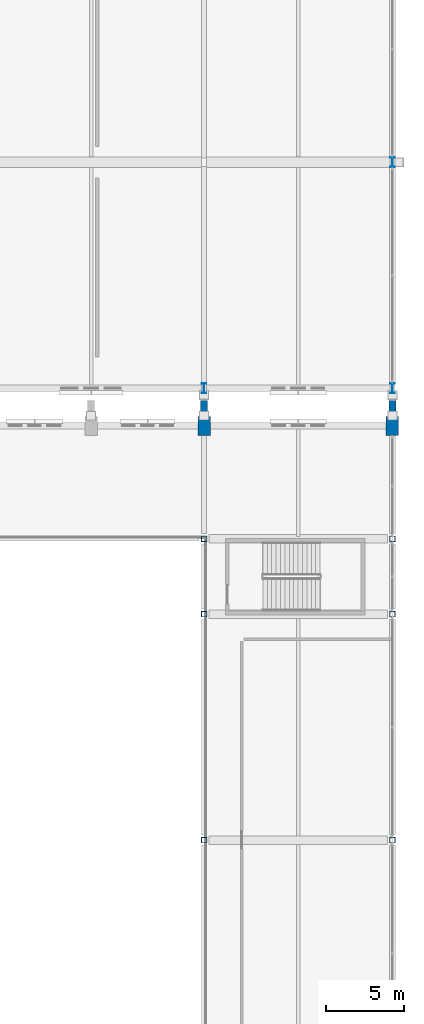
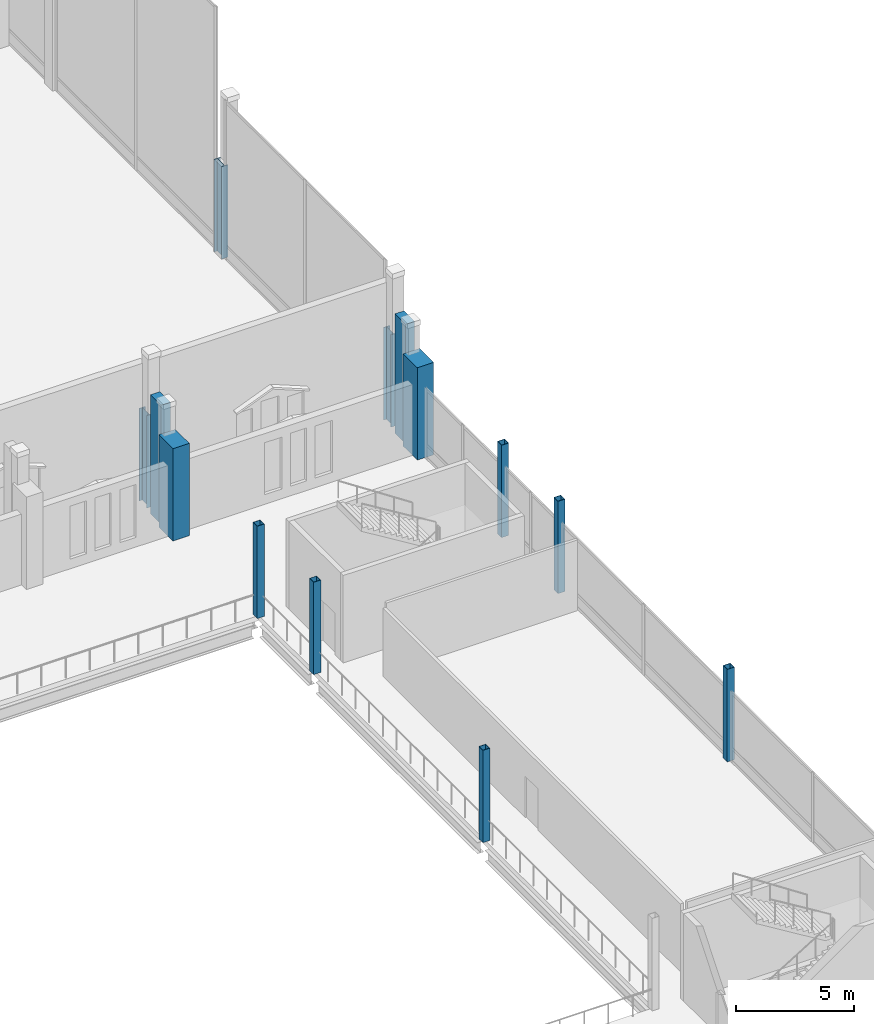
# One storey, part 18 of 193: 13 columns.
"""IFC4 building model written with IfcOpenShell, lengths in metres."""

from ifc_helpers import new_model, si_unit, direction, frame, origin, origin_2d, place, context, subcontext, project, spatial, rectangle, hollow_rectangle, i_section, extrude, material, material_profile, profile_set, type_object, element, save


model = new_model("IFC4")

# Units and contexts
model_context = context("Model", 3, precision=1e-05, world=origin(), true_north=direction((0.0, 1.0)))
body_context = subcontext(model_context, "Body", "Model", "MODEL_VIEW")
ifc_project = project(units=[si_unit("LENGTHUNIT", "METRE"), si_unit("AREAUNIT", "SQUARE_METRE"), si_unit("VOLUMEUNIT", "CUBIC_METRE"), si_unit("PLANEANGLEUNIT", "RADIAN"), si_unit("MASSUNIT", "GRAM", prefix="KILO")], contexts=[model_context])

# Site, building, storey
site_placement = place(None, origin())
site = spatial("IfcSite", under=ifc_project, at=site_placement, CompositionType="ELEMENT")
building_placement = place(site_placement, origin())
building = spatial("IfcBuilding", under=site, at=building_placement, Name="Cendralis Lancet Convention Centre", CompositionType="ELEMENT")
storey_placement = place(building_placement, frame((0.0, 0.0, 10.199951171875)))
storey = spatial("IfcBuildingStorey", under=building, at=storey_placement, Name="L02", CompositionType="ELEMENT", Elevation=10.199951171875)

# Columns
ifc_material_1 = material(Name="Concrete G40 (C40/50)", Category="concrete")
ifc_material_profile_1 = material_profile(ifc_material_1, rectangle(XDim=0.800048828125, YDim=1.199951171875, at=origin_2d()), Name="RC 800x1200")
ifc_profile_set_1 = profile_set([ifc_material_profile_1], Name="Concrete G40 (C40/50)")
column_type_1 = type_object("IfcColumnType", Name="STR-COL-C15", PredefinedType="COLUMN", material=ifc_profile_set_1)
for number, where, z_axis, x_axis, name in (
    (1, (196.800048828125, 91.199951171875, 0.0), (0.0, 0.0, 1.0), (1.0, 0.0, 0.0), "L02 Column C15 at 196.8,91.2"),
    (2, (208.800048828125, 91.199951171875, 0.0), (0.0, 0.0, 1.0), (1.0, 0.0, 0.0), "L02 Column C15 at 208.8,91.2"),
):
    element("IfcColumn", number, at=place(storey_placement, frame(where, z_axis=z_axis, x_axis=x_axis)), inside=storey, type_object=column_type_1, Name=name, PredefinedType="COLUMN", context=body_context, shape_type="SweptSolid", body=[
        extrude(rectangle(XDim=0.800048828125, YDim=1.199951171875, at=origin_2d()), origin(), (0.0, 0.0, 1.0), 4.800048828125),
    ])
ifc_material_2 = material(Name="Steel S355", Category="steel")
ifc_material_profile_2 = material_profile(ifc_material_2, i_section(OverallWidth=0.300048828125, OverallDepth=0.64990234375, WebThickness=0.01611328125, FlangeThickness=0.031005859375, FilletRadius=0.027099609375, at=origin_2d()), Name="HEB 650")
ifc_profile_set_2 = profile_set([ifc_material_profile_2], Name="Steel S355")
column_type_2 = type_object("IfcColumnType", Name="STR-COL-C20", PredefinedType="COLUMN", material=ifc_profile_set_2)
for number, where, z_axis, x_axis, name in (
    (3, (196.800048828125, 93.60009765625, 0.0), (0.0, 0.0, 1.0), (1.0, 0.0, 0.0), "L02 Column C20 at 196.8,93.6"),
    (4, (208.800048828125, 93.60009765625, 0.0), (0.0, 0.0, 1.0), (1.0, 0.0, 0.0), "L02 Column C20 at 208.8,93.6"),
    (5, (208.800048828125, 108.0, 0.0), (0.0, 0.0, 1.0), (1.0, 0.0, 0.0), "L02 Column C20 at 208.8,108.0"),
):
    element("IfcColumn", number, at=place(storey_placement, frame(where, z_axis=z_axis, x_axis=x_axis)), inside=storey, type_object=column_type_2, Name=name, PredefinedType="COLUMN", context=body_context, shape_type="SweptSolid", body=[
        extrude(i_section(OverallWidth=0.300048828125, OverallDepth=0.64990234375, WebThickness=0.01611328125, FlangeThickness=0.031005859375, FilletRadius=0.027099609375, at=origin_2d()), origin(), (0.0, 0.0, 1.0), 4.800048828125),
    ])
ifc_material_profile_3 = material_profile(ifc_material_2, hollow_rectangle(XDim=0.35009765625, YDim=0.35009765625, WallThickness=0.01611328125, at=origin_2d()), Name="SHS 350x350x16.0")
ifc_profile_set_3 = profile_set([ifc_material_profile_3], Name="Steel S355")
column_type_3 = type_object("IfcColumnType", Name="STR-COL-C29", PredefinedType="COLUMN", material=ifc_profile_set_3)
for number, where, z_axis, x_axis, name in (
    (6, (208.800048828125, 64.800048828125, 0.0), (0.0, 0.0, 1.0), (1.0, 0.0, 0.0), "L02 Column C29 at 208.8,64.8"),
    (7, (208.800048828125, 79.199951171875, 0.0), (0.0, 0.0, 1.0), (1.0, 0.0, 0.0), "L02 Column C29 at 208.8,79.2"),
    (8, (208.800048828125, 84.0, 0.0), (0.0, 0.0, 1.0), (1.0, 0.0, 0.0), "L02 Column C29 at 208.8,84.0"),
):
    element("IfcColumn", number, at=place(storey_placement, frame(where, z_axis=z_axis, x_axis=x_axis)), inside=storey, type_object=column_type_3, Name=name, PredefinedType="COLUMN", context=body_context, shape_type="SweptSolid", body=[
        extrude(hollow_rectangle(XDim=0.35009765625, YDim=0.35009765625, WallThickness=0.01611328125, at=origin_2d()), origin(), (0.0, 0.0, 1.0), 4.800048828125),
    ])
ifc_material_profile_4 = material_profile(ifc_material_2, hollow_rectangle(XDim=0.35009765625, YDim=0.35009765625, WallThickness=0.01611328125, at=origin_2d()), Name="SHS 350x350x16.0")
ifc_profile_set_4 = profile_set([ifc_material_profile_4], Name="Steel S355")
column_type_4 = type_object("IfcColumnType", Name="STR-COL-C29-INT", PredefinedType="COLUMN", material=ifc_profile_set_4)
for number, where, z_axis, x_axis, name in (
    (9, (196.800048828125, 64.800048828125, 0.0), (0.0, 0.0, 1.0), (1.0, 0.0, 0.0), "L02 Column C29 at 196.8,64.8"),
    (10, (196.800048828125, 79.199951171875, 0.0), (0.0, 0.0, 1.0), (1.0, 0.0, 0.0), "L02 Column C29 at 196.8,79.2"),
    (11, (196.800048828125, 84.0, 0.0), (0.0, 0.0, 1.0), (1.0, 0.0, 0.0), "L02 Column C29 at 196.8,84.0"),
):
    element("IfcColumn", number, at=place(storey_placement, frame(where, z_axis=z_axis, x_axis=x_axis)), inside=storey, type_object=column_type_4, Name=name, PredefinedType="COLUMN", context=body_context, shape_type="SweptSolid", body=[
        extrude(hollow_rectangle(XDim=0.35009765625, YDim=0.35009765625, WallThickness=0.01611328125, at=origin_2d()), origin(), (0.0, 0.0, 1.0), 4.800048828125),
    ])
ifc_material_profile_5 = material_profile(ifc_material_1, rectangle(XDim=0.449951171875, YDim=0.89990234375, at=origin_2d()), Name="RC 450x900")
ifc_profile_set_5 = profile_set([ifc_material_profile_5], Name="Concrete G40 (C40/50)")
column_type_5 = type_object("IfcColumnType", Name="STR-PIL-PL02", PredefinedType="PILASTER", material=ifc_profile_set_5)
for number, where, z_axis, x_axis, name in (
    (12, (196.800048828125, 92.360107421875, 0.0), (0.0, 0.0, 1.0), (1.0, 0.0, 0.0), "L02 Column PL02 at 196.8,92.4"),
    (13, (208.800048828125, 92.360107421875, 0.0), (0.0, 0.0, 1.0), (1.0, 0.0, 0.0), "L02 Column PL02 at 208.8,92.4"),
):
    element("IfcColumn", number, at=place(storey_placement, frame(where, z_axis=z_axis, x_axis=x_axis)), inside=storey, type_object=column_type_5, Name=name, PredefinedType="PILASTER", context=body_context, shape_type="SweptSolid", body=[
        extrude(rectangle(XDim=0.449951171875, YDim=0.89990234375, at=origin_2d()), origin(), (0.0, 0.0, 1.0), 6.199951171875),
    ])

save(model, "model.ifc")
